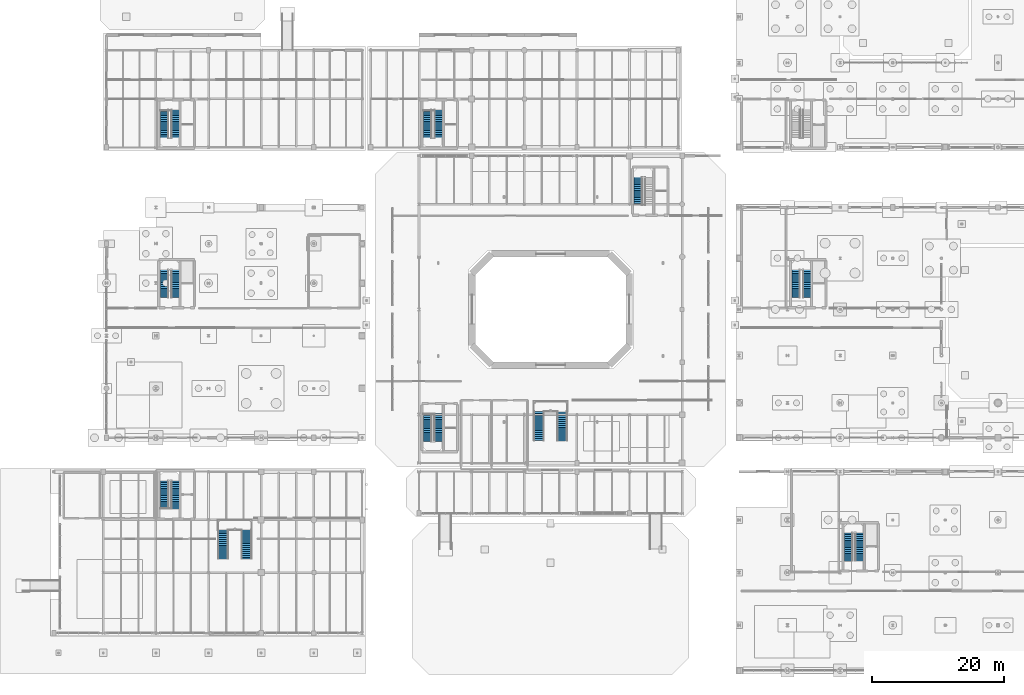
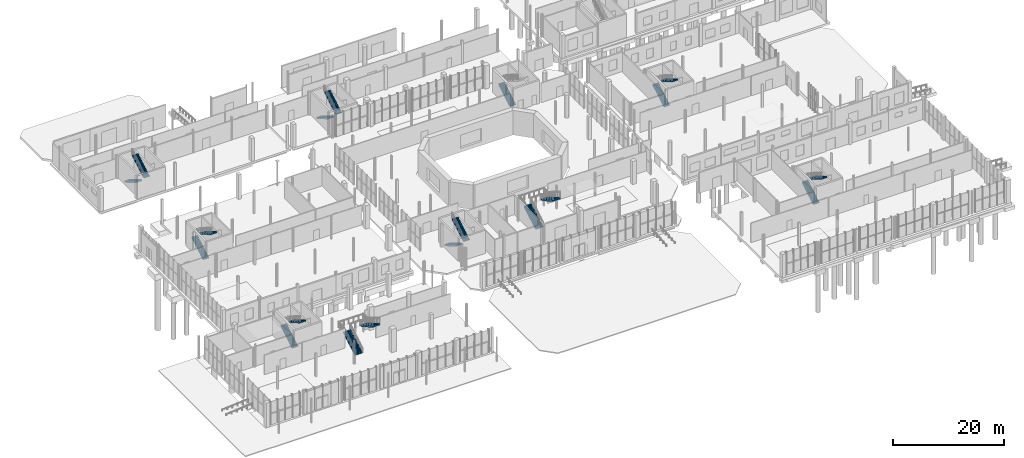
# One storey, part 75 of 87: 19 stair flights, 10 elements without a shape of their own.
"""IFC4 building model written with IfcOpenShell, lengths in metres."""

from ifc_helpers import new_model, si_unit, direction, frame, origin, place, context, subcontext, project, spatial, polyline, outline, extrude, material, type_object, element, aggregate, save


model = new_model("IFC4")

# Units and contexts
model_context = context("Model", 3, precision=1e-05, world=origin(), true_north=direction((0.0, 1.0)))
body_context = subcontext(model_context, "Body", "Model", "MODEL_VIEW")
ifc_project = project(units=[si_unit("LENGTHUNIT", "METRE"), si_unit("AREAUNIT", "SQUARE_METRE"), si_unit("VOLUMEUNIT", "CUBIC_METRE"), si_unit("PLANEANGLEUNIT", "RADIAN"), si_unit("MASSUNIT", "GRAM", prefix="KILO")], contexts=[model_context])

# Site, building, storey
site_placement = place(None, origin())
site = spatial("IfcSite", under=ifc_project, at=site_placement, CompositionType="ELEMENT")
building_placement = place(site_placement, origin())
building = spatial("IfcBuilding", under=site, at=building_placement, Name="Brisemont Oceanarium", CompositionType="ELEMENT")
storey_placement = place(building_placement, origin())
storey = spatial("IfcBuildingStorey", under=building, at=storey_placement, Name="L00", CompositionType="ELEMENT", Elevation=0.0)

# Stair, stair flights
ifc_material_1 = material(Name="Concrete C40/50", Category="concrete")
stair_type_1 = type_object("IfcStairType", Name="STR-CORE-120-54", PredefinedType="HALF_TURN_STAIR", material=ifc_material_1)
stair_1_placement = place(storey_placement, origin())
stair_1 = element("IfcStair", 1, at=stair_1_placement, inside=storey, type_object=stair_type_1, Name="Exit stair ST-05 L00 to L01", PredefinedType="HALF_TURN_STAIR")
ifc_material_2 = material(Name="Concrete C40/50", Category="concrete")
stair_flight_type_1 = type_object("IfcStairFlightType", Name="FLT-CORE-120-54", PredefinedType="STRAIGHT", material=ifc_material_2)
stair_flight_1_placement = place(storey_placement, frame((25.31005859375, 57.800048828125, 0.0), z_axis=(0.0, 0.0, 1.0), x_axis=(0.0, 1.0, 0.0)))
stair_flight_1 = element("IfcStairFlight", 2, at=stair_flight_1_placement, type_object=stair_flight_type_1, Name="ST-05 L00 lower flight", NumberOfRisers=16, NumberOfTreads=15, PredefinedType="STRAIGHT", RiserHeight=0.16875, TreadLength=0.283333, context=body_context, shape_type="SweptSolid", body=[
    extrude(outline(polyline([(0.0, 0.0), (0.0, 0.168701171875), (0.283447265625, 0.168701171875), (0.283447265625, 0.33740234375), (0.566650390625, 0.33740234375), (0.566650390625, 0.50634765625), (0.85009765625, 0.50634765625), (0.85009765625, 0.675048828125), (1.13330078125, 0.675048828125), (1.13330078125, 0.84375), (1.416748046875, 0.84375), (1.416748046875, 1.012451171875), (1.699951171875, 1.012451171875), (1.699951171875, 1.18115234375), (1.9833984375, 1.18115234375), (1.9833984375, 1.35009765625), (2.2666015625, 1.35009765625), (2.2666015625, 1.518798828125), (2.550048828125, 1.518798828125), (2.550048828125, 1.6875), (2.833251953125, 1.6875), (2.833251953125, 1.856201171875), (3.11669921875, 1.856201171875), (3.11669921875, 2.02490234375), (3.39990234375, 2.02490234375), (3.39990234375, 2.19384765625), (3.683349609375, 2.19384765625), (3.683349609375, 2.362548828125), (3.966552734375, 2.362548828125), (3.966552734375, 2.53125), (4.25, 2.53125), (4.25, 2.699951171875), (4.25, 2.275146484375), (0.429931640625, 0.0), (0.0, 0.0)])), frame((0.0, 0.60009765625, 0.0), z_axis=(0.0, -1.0, 0.0), x_axis=(1.0, 0.0, 0.0)), (0.0, 0.0, 1.0), 1.199951171875),
])
stair_flight_2_placement = place(storey_placement, frame((26.949951171875, 62.050048828125, 2.699951171875), z_axis=(0.0, 0.0, 1.0), x_axis=(0.0, -1.0, 0.0)))
stair_flight_2 = element("IfcStairFlight", 3, at=stair_flight_2_placement, type_object=stair_flight_type_1, Name="ST-05 L00 upper flight", NumberOfRisers=16, NumberOfTreads=15, PredefinedType="STRAIGHT", RiserHeight=0.16875, TreadLength=0.283333, context=body_context, shape_type="SweptSolid", body=[
    extrude(outline(polyline([(0.0, 0.0), (0.0, 0.168701171875), (0.283447265625, 0.168701171875), (0.283447265625, 0.33740234375), (0.566650390625, 0.33740234375), (0.566650390625, 0.50634765625), (0.85009765625, 0.50634765625), (0.85009765625, 0.675048828125), (1.13330078125, 0.675048828125), (1.13330078125, 0.84375), (1.416748046875, 0.84375), (1.416748046875, 1.012451171875), (1.699951171875, 1.012451171875), (1.699951171875, 1.18115234375), (1.9833984375, 1.18115234375), (1.9833984375, 1.35009765625), (2.2666015625, 1.35009765625), (2.2666015625, 1.518798828125), (2.550048828125, 1.518798828125), (2.550048828125, 1.6875), (2.833251953125, 1.6875), (2.833251953125, 1.856201171875), (3.11669921875, 1.856201171875), (3.11669921875, 2.02490234375), (3.39990234375, 2.02490234375), (3.39990234375, 2.19384765625), (3.683349609375, 2.19384765625), (3.683349609375, 2.362548828125), (3.966552734375, 2.362548828125), (3.966552734375, 2.53125), (4.25, 2.53125), (4.25, 2.699951171875), (4.25, 2.275146484375), (0.429931640625, 0.0), (0.0, 0.0)])), frame((0.0, 0.60009765625, 0.0), z_axis=(0.0, -1.0, 0.0), x_axis=(1.0, 0.0, 0.0)), (0.0, 0.0, 1.0), 1.199951171875),
])
aggregate(stair_1, [stair_flight_1, stair_flight_2])

stair_2_placement = place(storey_placement, origin())
stair_2 = element("IfcStair", 4, at=stair_2_placement, inside=storey, type_object=stair_type_1, Name="Exit stair ST-06 L00 to L01", PredefinedType="HALF_TURN_STAIR")
stair_flight_3_placement = place(storey_placement, frame((121.31005859375, 57.800048828125, 0.0), z_axis=(0.0, 0.0, 1.0), x_axis=(0.0, 1.0, 0.0)))
stair_flight_3 = element("IfcStairFlight", 5, at=stair_flight_3_placement, type_object=stair_flight_type_1, Name="ST-06 L00 lower flight", NumberOfRisers=16, NumberOfTreads=15, PredefinedType="STRAIGHT", RiserHeight=0.16875, TreadLength=0.283333, context=body_context, shape_type="SweptSolid", body=[
    extrude(outline(polyline([(0.0, 0.0), (0.0, 0.168701171875), (0.283447265625, 0.168701171875), (0.283447265625, 0.33740234375), (0.566650390625, 0.33740234375), (0.566650390625, 0.50634765625), (0.85009765625, 0.50634765625), (0.85009765625, 0.675048828125), (1.13330078125, 0.675048828125), (1.13330078125, 0.84375), (1.416748046875, 0.84375), (1.416748046875, 1.012451171875), (1.699951171875, 1.012451171875), (1.699951171875, 1.18115234375), (1.9833984375, 1.18115234375), (1.9833984375, 1.35009765625), (2.2666015625, 1.35009765625), (2.2666015625, 1.518798828125), (2.550048828125, 1.518798828125), (2.550048828125, 1.6875), (2.833251953125, 1.6875), (2.833251953125, 1.856201171875), (3.11669921875, 1.856201171875), (3.11669921875, 2.02490234375), (3.39990234375, 2.02490234375), (3.39990234375, 2.19384765625), (3.683349609375, 2.19384765625), (3.683349609375, 2.362548828125), (3.966552734375, 2.362548828125), (3.966552734375, 2.53125), (4.25, 2.53125), (4.25, 2.699951171875), (4.25, 2.275146484375), (0.429931640625, 0.0), (0.0, 0.0)])), frame((0.0, 0.60009765625, 0.0), z_axis=(0.0, -1.0, 0.0), x_axis=(1.0, 0.0, 0.0)), (0.0, 0.0, 1.0), 1.199951171875),
])
stair_flight_4_placement = place(storey_placement, frame((122.949951171875, 62.050048828125, 2.699951171875), z_axis=(0.0, 0.0, 1.0), x_axis=(0.0, -1.0, 0.0)))
stair_flight_4 = element("IfcStairFlight", 6, at=stair_flight_4_placement, type_object=stair_flight_type_1, Name="ST-06 L00 upper flight", NumberOfRisers=16, NumberOfTreads=15, PredefinedType="STRAIGHT", RiserHeight=0.16875, TreadLength=0.283333, context=body_context, shape_type="SweptSolid", body=[
    extrude(outline(polyline([(0.0, 0.0), (0.0, 0.168701171875), (0.283447265625, 0.168701171875), (0.283447265625, 0.33740234375), (0.566650390625, 0.33740234375), (0.566650390625, 0.50634765625), (0.85009765625, 0.50634765625), (0.85009765625, 0.675048828125), (1.13330078125, 0.675048828125), (1.13330078125, 0.84375), (1.416748046875, 0.84375), (1.416748046875, 1.012451171875), (1.699951171875, 1.012451171875), (1.699951171875, 1.18115234375), (1.9833984375, 1.18115234375), (1.9833984375, 1.35009765625), (2.2666015625, 1.35009765625), (2.2666015625, 1.518798828125), (2.550048828125, 1.518798828125), (2.550048828125, 1.6875), (2.833251953125, 1.6875), (2.833251953125, 1.856201171875), (3.11669921875, 1.856201171875), (3.11669921875, 2.02490234375), (3.39990234375, 2.02490234375), (3.39990234375, 2.19384765625), (3.683349609375, 2.19384765625), (3.683349609375, 2.362548828125), (3.966552734375, 2.362548828125), (3.966552734375, 2.53125), (4.25, 2.53125), (4.25, 2.699951171875), (4.25, 2.275146484375), (0.429931640625, 0.0), (0.0, 0.0)])), frame((0.0, 0.60009765625, 0.0), z_axis=(0.0, -1.0, 0.0), x_axis=(1.0, 0.0, 0.0)), (0.0, 0.0, 1.0), 1.199951171875),
])
aggregate(stair_2, [stair_flight_3, stair_flight_4])

stair_3_placement = place(storey_placement, origin())
stair_3 = element("IfcStair", 7, at=stair_3_placement, inside=storey, type_object=stair_type_1, Name="Exit stair ST-08 L00 to L01", PredefinedType="HALF_TURN_STAIR")
stair_flight_5_placement = place(storey_placement, frame((65.31005859375, 86.300048828125, 0.0), z_axis=(0.0, 0.0, 1.0), x_axis=(0.0, -1.0, 0.0)))
stair_flight_5 = element("IfcStairFlight", 8, at=stair_flight_5_placement, type_object=stair_flight_type_1, Name="ST-08 L00 lower flight", NumberOfRisers=16, NumberOfTreads=15, PredefinedType="STRAIGHT", RiserHeight=0.16875, TreadLength=0.283333, context=body_context, shape_type="SweptSolid", body=[
    extrude(outline(polyline([(0.0, 0.0), (0.0, 0.168701171875), (0.283447265625, 0.168701171875), (0.283447265625, 0.33740234375), (0.566650390625, 0.33740234375), (0.566650390625, 0.50634765625), (0.85009765625, 0.50634765625), (0.85009765625, 0.675048828125), (1.13330078125, 0.675048828125), (1.13330078125, 0.84375), (1.416748046875, 0.84375), (1.416748046875, 1.012451171875), (1.699951171875, 1.012451171875), (1.699951171875, 1.18115234375), (1.9833984375, 1.18115234375), (1.9833984375, 1.35009765625), (2.2666015625, 1.35009765625), (2.2666015625, 1.518798828125), (2.550048828125, 1.518798828125), (2.550048828125, 1.6875), (2.833251953125, 1.6875), (2.833251953125, 1.856201171875), (3.11669921875, 1.856201171875), (3.11669921875, 2.02490234375), (3.39990234375, 2.02490234375), (3.39990234375, 2.19384765625), (3.683349609375, 2.19384765625), (3.683349609375, 2.362548828125), (3.966552734375, 2.362548828125), (3.966552734375, 2.53125), (4.25, 2.53125), (4.25, 2.699951171875), (4.25, 2.275146484375), (0.429931640625, 0.0), (0.0, 0.0)])), frame((0.0, 0.60009765625, 0.0), z_axis=(0.0, -1.0, 0.0), x_axis=(1.0, 0.0, 0.0)), (0.0, 0.0, 1.0), 1.199951171875),
])
stair_flight_6_placement = place(storey_placement, frame((66.949951171875, 82.050048828125, 2.699951171875), z_axis=(0.0, 0.0, 1.0), x_axis=(0.0, 1.0, 0.0)))
stair_flight_6 = element("IfcStairFlight", 9, at=stair_flight_6_placement, type_object=stair_flight_type_1, Name="ST-08 L00 upper flight", NumberOfRisers=16, NumberOfTreads=15, PredefinedType="STRAIGHT", RiserHeight=0.16875, TreadLength=0.283333, context=body_context, shape_type="SweptSolid", body=[
    extrude(outline(polyline([(0.0, 0.0), (0.0, 0.168701171875), (0.283447265625, 0.168701171875), (0.283447265625, 0.33740234375), (0.566650390625, 0.33740234375), (0.566650390625, 0.50634765625), (0.85009765625, 0.50634765625), (0.85009765625, 0.675048828125), (1.13330078125, 0.675048828125), (1.13330078125, 0.84375), (1.416748046875, 0.84375), (1.416748046875, 1.012451171875), (1.699951171875, 1.012451171875), (1.699951171875, 1.18115234375), (1.9833984375, 1.18115234375), (1.9833984375, 1.35009765625), (2.2666015625, 1.35009765625), (2.2666015625, 1.518798828125), (2.550048828125, 1.518798828125), (2.550048828125, 1.6875), (2.833251953125, 1.6875), (2.833251953125, 1.856201171875), (3.11669921875, 1.856201171875), (3.11669921875, 2.02490234375), (3.39990234375, 2.02490234375), (3.39990234375, 2.19384765625), (3.683349609375, 2.19384765625), (3.683349609375, 2.362548828125), (3.966552734375, 2.362548828125), (3.966552734375, 2.53125), (4.25, 2.53125), (4.25, 2.699951171875), (4.25, 2.275146484375), (0.429931640625, 0.0), (0.0, 0.0)])), frame((0.0, 0.60009765625, 0.0), z_axis=(0.0, -1.0, 0.0), x_axis=(1.0, 0.0, 0.0)), (0.0, 0.0, 1.0), 1.199951171875),
])
aggregate(stair_3, [stair_flight_5, stair_flight_6])

stair_4_placement = place(storey_placement, origin())
stair_4 = element("IfcStair", 10, at=stair_4_placement, inside=storey, type_object=stair_type_1, Name="Exit stair ST-09 L00 to L01", PredefinedType="HALF_TURN_STAIR")
stair_flight_7_placement = place(storey_placement, frame((25.31005859375, 86.300048828125, 0.0), z_axis=(0.0, 0.0, 1.0), x_axis=(0.0, -1.0, 0.0)))
stair_flight_7 = element("IfcStairFlight", 11, at=stair_flight_7_placement, type_object=stair_flight_type_1, Name="ST-09 L00 lower flight", NumberOfRisers=16, NumberOfTreads=15, PredefinedType="STRAIGHT", RiserHeight=0.16875, TreadLength=0.283333, context=body_context, shape_type="SweptSolid", body=[
    extrude(outline(polyline([(0.0, 0.0), (0.0, 0.168701171875), (0.283447265625, 0.168701171875), (0.283447265625, 0.33740234375), (0.566650390625, 0.33740234375), (0.566650390625, 0.50634765625), (0.85009765625, 0.50634765625), (0.85009765625, 0.675048828125), (1.13330078125, 0.675048828125), (1.13330078125, 0.84375), (1.416748046875, 0.84375), (1.416748046875, 1.012451171875), (1.699951171875, 1.012451171875), (1.699951171875, 1.18115234375), (1.9833984375, 1.18115234375), (1.9833984375, 1.35009765625), (2.2666015625, 1.35009765625), (2.2666015625, 1.518798828125), (2.550048828125, 1.518798828125), (2.550048828125, 1.6875), (2.833251953125, 1.6875), (2.833251953125, 1.856201171875), (3.11669921875, 1.856201171875), (3.11669921875, 2.02490234375), (3.39990234375, 2.02490234375), (3.39990234375, 2.19384765625), (3.683349609375, 2.19384765625), (3.683349609375, 2.362548828125), (3.966552734375, 2.362548828125), (3.966552734375, 2.53125), (4.25, 2.53125), (4.25, 2.699951171875), (4.25, 2.275146484375), (0.429931640625, 0.0), (0.0, 0.0)])), frame((0.0, 0.60009765625, 0.0), z_axis=(0.0, -1.0, 0.0), x_axis=(1.0, 0.0, 0.0)), (0.0, 0.0, 1.0), 1.199951171875),
])
stair_flight_8_placement = place(storey_placement, frame((26.949951171875, 82.050048828125, 2.699951171875), z_axis=(0.0, 0.0, 1.0), x_axis=(0.0, 1.0, 0.0)))
stair_flight_8 = element("IfcStairFlight", 12, at=stair_flight_8_placement, type_object=stair_flight_type_1, Name="ST-09 L00 upper flight", NumberOfRisers=16, NumberOfTreads=15, PredefinedType="STRAIGHT", RiserHeight=0.16875, TreadLength=0.283333, context=body_context, shape_type="SweptSolid", body=[
    extrude(outline(polyline([(0.0, 0.0), (0.0, 0.168701171875), (0.283447265625, 0.168701171875), (0.283447265625, 0.33740234375), (0.566650390625, 0.33740234375), (0.566650390625, 0.50634765625), (0.85009765625, 0.50634765625), (0.85009765625, 0.675048828125), (1.13330078125, 0.675048828125), (1.13330078125, 0.84375), (1.416748046875, 0.84375), (1.416748046875, 1.012451171875), (1.699951171875, 1.012451171875), (1.699951171875, 1.18115234375), (1.9833984375, 1.18115234375), (1.9833984375, 1.35009765625), (2.2666015625, 1.35009765625), (2.2666015625, 1.518798828125), (2.550048828125, 1.518798828125), (2.550048828125, 1.6875), (2.833251953125, 1.6875), (2.833251953125, 1.856201171875), (3.11669921875, 1.856201171875), (3.11669921875, 2.02490234375), (3.39990234375, 2.02490234375), (3.39990234375, 2.19384765625), (3.683349609375, 2.19384765625), (3.683349609375, 2.362548828125), (3.966552734375, 2.362548828125), (3.966552734375, 2.53125), (4.25, 2.53125), (4.25, 2.699951171875), (4.25, 2.275146484375), (0.429931640625, 0.0), (0.0, 0.0)])), frame((0.0, 0.60009765625, 0.0), z_axis=(0.0, -1.0, 0.0), x_axis=(1.0, 0.0, 0.0)), (0.0, 0.0, 1.0), 1.199951171875),
])
aggregate(stair_4, [stair_flight_7, stair_flight_8])

ifc_material_3 = material(Name="Concrete C40/50", Category="concrete")
stair_type_2 = type_object("IfcStairType", Name="STR-CORE-124-54", PredefinedType="HALF_TURN_STAIR", material=ifc_material_3)
stair_5_placement = place(storey_placement, origin())
stair_5 = element("IfcStair", 13, at=stair_5_placement, inside=storey, type_object=stair_type_2, Name="Exit stair ST-01 L00 to L01", PredefinedType="HALF_TURN_STAIR")
ifc_material_4 = material(Name="Concrete C40/50", Category="concrete")
stair_flight_type_2 = type_object("IfcStairFlightType", Name="FLT-CORE-124-54", PredefinedType="STRAIGHT", material=ifc_material_4)
stair_flight_9_placement = place(storey_placement, frame((65.330078125, 40.14990234375, 0.0), z_axis=(0.0, 0.0, 1.0), x_axis=(0.0, -1.0, 0.0)))
stair_flight_9 = element("IfcStairFlight", 14, at=stair_flight_9_placement, type_object=stair_flight_type_2, Name="ST-01 L00 lower flight", NumberOfRisers=16, NumberOfTreads=15, PredefinedType="STRAIGHT", RiserHeight=0.16875, TreadLength=0.283333, context=body_context, shape_type="SweptSolid", body=[
    extrude(outline(polyline([(0.0, 0.0), (0.0, 0.168701171875), (0.283447265625, 0.168701171875), (0.283447265625, 0.33740234375), (0.566650390625, 0.33740234375), (0.566650390625, 0.50634765625), (0.85009765625, 0.50634765625), (0.85009765625, 0.675048828125), (1.13330078125, 0.675048828125), (1.13330078125, 0.84375), (1.416748046875, 0.84375), (1.416748046875, 1.012451171875), (1.699951171875, 1.012451171875), (1.699951171875, 1.18115234375), (1.9833984375, 1.18115234375), (1.9833984375, 1.35009765625), (2.2666015625, 1.35009765625), (2.2666015625, 1.518798828125), (2.550048828125, 1.518798828125), (2.550048828125, 1.6875), (2.833251953125, 1.6875), (2.833251953125, 1.856201171875), (3.11669921875, 1.856201171875), (3.11669921875, 2.02490234375), (3.39990234375, 2.02490234375), (3.39990234375, 2.19384765625), (3.683349609375, 2.19384765625), (3.683349609375, 2.362548828125), (3.966552734375, 2.362548828125), (3.966552734375, 2.53125), (4.25, 2.53125), (4.25, 2.699951171875), (4.25, 2.275146484375), (0.429931640625, 0.0), (0.0, 0.0)])), frame((0.0, 0.6201171875, 0.0), z_axis=(0.0, -1.0, 0.0), x_axis=(1.0, 0.0, 0.0)), (0.0, 0.0, 1.0), 1.239990234375),
])
stair_flight_10_placement = place(storey_placement, frame((66.929931640625, 35.89990234375, 2.699951171875), z_axis=(0.0, 0.0, 1.0), x_axis=(0.0, 1.0, 0.0)))
stair_flight_10 = element("IfcStairFlight", 15, at=stair_flight_10_placement, type_object=stair_flight_type_2, Name="ST-01 L00 upper flight", NumberOfRisers=16, NumberOfTreads=15, PredefinedType="STRAIGHT", RiserHeight=0.16875, TreadLength=0.283333, context=body_context, shape_type="SweptSolid", body=[
    extrude(outline(polyline([(0.0, 0.0), (0.0, 0.168701171875), (0.283447265625, 0.168701171875), (0.283447265625, 0.33740234375), (0.566650390625, 0.33740234375), (0.566650390625, 0.50634765625), (0.85009765625, 0.50634765625), (0.85009765625, 0.675048828125), (1.13330078125, 0.675048828125), (1.13330078125, 0.84375), (1.416748046875, 0.84375), (1.416748046875, 1.012451171875), (1.699951171875, 1.012451171875), (1.699951171875, 1.18115234375), (1.9833984375, 1.18115234375), (1.9833984375, 1.35009765625), (2.2666015625, 1.35009765625), (2.2666015625, 1.518798828125), (2.550048828125, 1.518798828125), (2.550048828125, 1.6875), (2.833251953125, 1.6875), (2.833251953125, 1.856201171875), (3.11669921875, 1.856201171875), (3.11669921875, 2.02490234375), (3.39990234375, 2.02490234375), (3.39990234375, 2.19384765625), (3.683349609375, 2.19384765625), (3.683349609375, 2.362548828125), (3.966552734375, 2.362548828125), (3.966552734375, 2.53125), (4.25, 2.53125), (4.25, 2.699951171875), (4.25, 2.275146484375), (0.429931640625, 0.0), (0.0, 0.0)])), frame((0.0, 0.6201171875, 0.0), z_axis=(0.0, -1.0, 0.0), x_axis=(1.0, 0.0, 0.0)), (0.0, 0.0, 1.0), 1.239990234375),
])
aggregate(stair_5, [stair_flight_9, stair_flight_10])

# Stair, stair flight
stair_6_placement = place(storey_placement, origin())
stair_6 = element("IfcStair", 16, at=stair_6_placement, inside=storey, type_object=stair_type_2, Name="Exit stair ST-02 L00 to L01", PredefinedType="HALF_TURN_STAIR")
stair_flight_11_placement = place(storey_placement, frame((97.330078125, 71.85009765625, 0.0), z_axis=(0.0, 0.0, 1.0), x_axis=(0.0, 1.0, 0.0)))
stair_flight_11 = element("IfcStairFlight", 17, at=stair_flight_11_placement, type_object=stair_flight_type_2, Name="ST-02 L00 lower flight", NumberOfRisers=16, NumberOfTreads=15, PredefinedType="STRAIGHT", RiserHeight=0.16875, TreadLength=0.283333, context=body_context, shape_type="SweptSolid", body=[
    extrude(outline(polyline([(0.0, 0.0), (0.0, 0.168701171875), (0.283447265625, 0.168701171875), (0.283447265625, 0.33740234375), (0.566650390625, 0.33740234375), (0.566650390625, 0.50634765625), (0.85009765625, 0.50634765625), (0.85009765625, 0.675048828125), (1.13330078125, 0.675048828125), (1.13330078125, 0.84375), (1.416748046875, 0.84375), (1.416748046875, 1.012451171875), (1.699951171875, 1.012451171875), (1.699951171875, 1.18115234375), (1.9833984375, 1.18115234375), (1.9833984375, 1.35009765625), (2.2666015625, 1.35009765625), (2.2666015625, 1.518798828125), (2.550048828125, 1.518798828125), (2.550048828125, 1.6875), (2.833251953125, 1.6875), (2.833251953125, 1.856201171875), (3.11669921875, 1.856201171875), (3.11669921875, 2.02490234375), (3.39990234375, 2.02490234375), (3.39990234375, 2.19384765625), (3.683349609375, 2.19384765625), (3.683349609375, 2.362548828125), (3.966552734375, 2.362548828125), (3.966552734375, 2.53125), (4.25, 2.53125), (4.25, 2.699951171875), (4.25, 2.275146484375), (0.429931640625, 0.0), (0.0, 0.0)])), frame((0.0, 0.6201171875, 0.0), z_axis=(0.0, -1.0, 0.0), x_axis=(1.0, 0.0, 0.0)), (0.0, 0.0, 1.0), 1.239990234375),
])
aggregate(stair_6, [stair_flight_11])

# Stair, stair flights
stair_7_placement = place(storey_placement, origin())
stair_7 = element("IfcStair", 18, at=stair_7_placement, inside=storey, type_object=stair_type_2, Name="Exit stair ST-03 L00 to L01", PredefinedType="HALF_TURN_STAIR")
stair_flight_12_placement = place(storey_placement, frame((25.330078125, 25.699951171875, 0.0), z_axis=(0.0, 0.0, 1.0), x_axis=(0.0, 1.0, 0.0)))
stair_flight_12 = element("IfcStairFlight", 19, at=stair_flight_12_placement, type_object=stair_flight_type_2, Name="ST-03 L00 lower flight", NumberOfRisers=16, NumberOfTreads=15, PredefinedType="STRAIGHT", RiserHeight=0.16875, TreadLength=0.283333, context=body_context, shape_type="SweptSolid", body=[
    extrude(outline(polyline([(0.0, 0.0), (0.0, 0.168701171875), (0.283447265625, 0.168701171875), (0.283447265625, 0.33740234375), (0.566650390625, 0.33740234375), (0.566650390625, 0.50634765625), (0.85009765625, 0.50634765625), (0.85009765625, 0.675048828125), (1.13330078125, 0.675048828125), (1.13330078125, 0.84375), (1.416748046875, 0.84375), (1.416748046875, 1.012451171875), (1.699951171875, 1.012451171875), (1.699951171875, 1.18115234375), (1.9833984375, 1.18115234375), (1.9833984375, 1.35009765625), (2.2666015625, 1.35009765625), (2.2666015625, 1.518798828125), (2.550048828125, 1.518798828125), (2.550048828125, 1.6875), (2.833251953125, 1.6875), (2.833251953125, 1.856201171875), (3.11669921875, 1.856201171875), (3.11669921875, 2.02490234375), (3.39990234375, 2.02490234375), (3.39990234375, 2.19384765625), (3.683349609375, 2.19384765625), (3.683349609375, 2.362548828125), (3.966552734375, 2.362548828125), (3.966552734375, 2.53125), (4.25, 2.53125), (4.25, 2.699951171875), (4.25, 2.275146484375), (0.429931640625, 0.0), (0.0, 0.0)])), frame((0.0, 0.6201171875, 0.0), z_axis=(0.0, -1.0, 0.0), x_axis=(1.0, 0.0, 0.0)), (0.0, 0.0, 1.0), 1.239990234375),
])
stair_flight_13_placement = place(storey_placement, frame((26.929931640625, 29.949951171875, 2.699951171875), z_axis=(0.0, 0.0, 1.0), x_axis=(0.0, -1.0, 0.0)))
stair_flight_13 = element("IfcStairFlight", 20, at=stair_flight_13_placement, type_object=stair_flight_type_2, Name="ST-03 L00 upper flight", NumberOfRisers=16, NumberOfTreads=15, PredefinedType="STRAIGHT", RiserHeight=0.16875, TreadLength=0.283333, context=body_context, shape_type="SweptSolid", body=[
    extrude(outline(polyline([(0.0, 0.0), (0.0, 0.168701171875), (0.283447265625, 0.168701171875), (0.283447265625, 0.33740234375), (0.566650390625, 0.33740234375), (0.566650390625, 0.50634765625), (0.85009765625, 0.50634765625), (0.85009765625, 0.675048828125), (1.13330078125, 0.675048828125), (1.13330078125, 0.84375), (1.416748046875, 0.84375), (1.416748046875, 1.012451171875), (1.699951171875, 1.012451171875), (1.699951171875, 1.18115234375), (1.9833984375, 1.18115234375), (1.9833984375, 1.35009765625), (2.2666015625, 1.35009765625), (2.2666015625, 1.518798828125), (2.550048828125, 1.518798828125), (2.550048828125, 1.6875), (2.833251953125, 1.6875), (2.833251953125, 1.856201171875), (3.11669921875, 1.856201171875), (3.11669921875, 2.02490234375), (3.39990234375, 2.02490234375), (3.39990234375, 2.19384765625), (3.683349609375, 2.19384765625), (3.683349609375, 2.362548828125), (3.966552734375, 2.362548828125), (3.966552734375, 2.53125), (4.25, 2.53125), (4.25, 2.699951171875), (4.25, 2.275146484375), (0.429931640625, 0.0), (0.0, 0.0)])), frame((0.0, 0.6201171875, 0.0), z_axis=(0.0, -1.0, 0.0), x_axis=(1.0, 0.0, 0.0)), (0.0, 0.0, 1.0), 1.239990234375),
])
aggregate(stair_7, [stair_flight_12, stair_flight_13])

stair_8_placement = place(storey_placement, origin())
stair_8 = element("IfcStair", 21, at=stair_8_placement, inside=storey, type_object=stair_type_2, Name="Exit stair ST-04 L00 to L01", PredefinedType="HALF_TURN_STAIR")
stair_flight_14_placement = place(storey_placement, frame((129.330078125, 17.800048828125, 0.0), z_axis=(0.0, 0.0, 1.0), x_axis=(0.0, 1.0, 0.0)))
stair_flight_14 = element("IfcStairFlight", 22, at=stair_flight_14_placement, type_object=stair_flight_type_2, Name="ST-04 L00 lower flight", NumberOfRisers=16, NumberOfTreads=15, PredefinedType="STRAIGHT", RiserHeight=0.16875, TreadLength=0.283333, context=body_context, shape_type="SweptSolid", body=[
    extrude(outline(polyline([(0.0, 0.0), (0.0, 0.168701171875), (0.283447265625, 0.168701171875), (0.283447265625, 0.33740234375), (0.566650390625, 0.33740234375), (0.566650390625, 0.50634765625), (0.85009765625, 0.50634765625), (0.85009765625, 0.675048828125), (1.13330078125, 0.675048828125), (1.13330078125, 0.84375), (1.416748046875, 0.84375), (1.416748046875, 1.012451171875), (1.699951171875, 1.012451171875), (1.699951171875, 1.18115234375), (1.9833984375, 1.18115234375), (1.9833984375, 1.35009765625), (2.2666015625, 1.35009765625), (2.2666015625, 1.518798828125), (2.550048828125, 1.518798828125), (2.550048828125, 1.6875), (2.833251953125, 1.6875), (2.833251953125, 1.856201171875), (3.11669921875, 1.856201171875), (3.11669921875, 2.02490234375), (3.39990234375, 2.02490234375), (3.39990234375, 2.19384765625), (3.683349609375, 2.19384765625), (3.683349609375, 2.362548828125), (3.966552734375, 2.362548828125), (3.966552734375, 2.53125), (4.25, 2.53125), (4.25, 2.699951171875), (4.25, 2.275146484375), (0.429931640625, 0.0), (0.0, 0.0)])), frame((0.0, 0.6201171875, 0.0), z_axis=(0.0, -1.0, 0.0), x_axis=(1.0, 0.0, 0.0)), (0.0, 0.0, 1.0), 1.239990234375),
])
stair_flight_15_placement = place(storey_placement, frame((130.929931640625, 22.050048828125, 2.699951171875), z_axis=(0.0, 0.0, 1.0), x_axis=(0.0, -1.0, 0.0)))
stair_flight_15 = element("IfcStairFlight", 23, at=stair_flight_15_placement, type_object=stair_flight_type_2, Name="ST-04 L00 upper flight", NumberOfRisers=16, NumberOfTreads=15, PredefinedType="STRAIGHT", RiserHeight=0.16875, TreadLength=0.283333, context=body_context, shape_type="SweptSolid", body=[
    extrude(outline(polyline([(0.0, 0.0), (0.0, 0.168701171875), (0.283447265625, 0.168701171875), (0.283447265625, 0.33740234375), (0.566650390625, 0.33740234375), (0.566650390625, 0.50634765625), (0.85009765625, 0.50634765625), (0.85009765625, 0.675048828125), (1.13330078125, 0.675048828125), (1.13330078125, 0.84375), (1.416748046875, 0.84375), (1.416748046875, 1.012451171875), (1.699951171875, 1.012451171875), (1.699951171875, 1.18115234375), (1.9833984375, 1.18115234375), (1.9833984375, 1.35009765625), (2.2666015625, 1.35009765625), (2.2666015625, 1.518798828125), (2.550048828125, 1.518798828125), (2.550048828125, 1.6875), (2.833251953125, 1.6875), (2.833251953125, 1.856201171875), (3.11669921875, 1.856201171875), (3.11669921875, 2.02490234375), (3.39990234375, 2.02490234375), (3.39990234375, 2.19384765625), (3.683349609375, 2.19384765625), (3.683349609375, 2.362548828125), (3.966552734375, 2.362548828125), (3.966552734375, 2.53125), (4.25, 2.53125), (4.25, 2.699951171875), (4.25, 2.275146484375), (0.429931640625, 0.0), (0.0, 0.0)])), frame((0.0, 0.6201171875, 0.0), z_axis=(0.0, -1.0, 0.0), x_axis=(1.0, 0.0, 0.0)), (0.0, 0.0, 1.0), 1.239990234375),
])
aggregate(stair_8, [stair_flight_14, stair_flight_15])

ifc_material_5 = material(Name="Concrete C40/50", Category="concrete")
stair_type_3 = type_object("IfcStairType", Name="STR-MON-155-54", PredefinedType="HALF_TURN_STAIR", material=ifc_material_5)
stair_9_placement = place(storey_placement, origin())
stair_9 = element("IfcStair", 24, at=stair_9_placement, inside=storey, type_object=stair_type_3, Name="Grand Beaux-Arts stair ST-10", PredefinedType="HALF_TURN_STAIR")
ifc_material_6 = material(Name="Concrete C40/50", Category="concrete")
stair_flight_type_3 = type_object("IfcStairFlightType", Name="FLT-MON-155-54", PredefinedType="STRAIGHT", material=ifc_material_6)
stair_flight_16_placement = place(storey_placement, frame((34.22509765625, 18.10009765625, 0.0), z_axis=(0.0, 0.0, 1.0), x_axis=(0.0, 1.0, 0.0)))
stair_flight_16 = element("IfcStairFlight", 25, at=stair_flight_16_placement, type_object=stair_flight_type_3, Name="ST-10 lower flight", NumberOfRisers=16, NumberOfTreads=15, PredefinedType="STRAIGHT", RiserHeight=0.16875, TreadLength=0.293333, context=body_context, shape_type="SweptSolid", body=[
    extrude(outline(polyline([(0.0, 0.0), (0.0, 0.168701171875), (0.293212890625, 0.168701171875), (0.293212890625, 0.33740234375), (0.586669921875, 0.33740234375), (0.586669921875, 0.50634765625), (0.8798828125, 0.50634765625), (0.8798828125, 0.675048828125), (1.17333984375, 0.675048828125), (1.17333984375, 0.84375), (1.466552734375, 0.84375), (1.466552734375, 1.012451171875), (1.760009765625, 1.012451171875), (1.760009765625, 1.18115234375), (2.05322265625, 1.18115234375), (2.05322265625, 1.35009765625), (2.3466796875, 1.35009765625), (2.3466796875, 1.518798828125), (2.639892578125, 1.518798828125), (2.639892578125, 1.6875), (2.933349609375, 1.6875), (2.933349609375, 1.856201171875), (3.2265625, 1.856201171875), (3.2265625, 2.02490234375), (3.52001953125, 2.02490234375), (3.52001953125, 2.19384765625), (3.813232421875, 2.19384765625), (3.813232421875, 2.362548828125), (4.106689453125, 2.362548828125), (4.106689453125, 2.53125), (4.39990234375, 2.53125), (4.39990234375, 2.699951171875), (4.39990234375, 2.25439453125), (0.481201171875, 0.0), (0.0, 0.0)])), frame((0.0, 0.77490234375, 0.0), z_axis=(0.0, -1.0, 0.0), x_axis=(1.0, 0.0, 0.0)), (0.0, 0.0, 1.0), 1.550048828125),
])
stair_flight_17_placement = place(storey_placement, frame((37.77490234375, 22.43994140625, 2.699951171875), z_axis=(0.0, 0.0, 1.0), x_axis=(0.0, -1.0, 0.0)))
stair_flight_17 = element("IfcStairFlight", 26, at=stair_flight_17_placement, type_object=stair_flight_type_3, Name="ST-10 upper flight", NumberOfRisers=16, NumberOfTreads=15, PredefinedType="STRAIGHT", RiserHeight=0.16875, TreadLength=0.293333, context=body_context, shape_type="SweptSolid", body=[
    extrude(outline(polyline([(0.0, 0.0), (0.0, 0.168701171875), (0.293212890625, 0.168701171875), (0.293212890625, 0.33740234375), (0.586669921875, 0.33740234375), (0.586669921875, 0.50634765625), (0.8798828125, 0.50634765625), (0.8798828125, 0.675048828125), (1.17333984375, 0.675048828125), (1.17333984375, 0.84375), (1.466552734375, 0.84375), (1.466552734375, 1.012451171875), (1.760009765625, 1.012451171875), (1.760009765625, 1.18115234375), (2.05322265625, 1.18115234375), (2.05322265625, 1.35009765625), (2.3466796875, 1.35009765625), (2.3466796875, 1.518798828125), (2.639892578125, 1.518798828125), (2.639892578125, 1.6875), (2.933349609375, 1.6875), (2.933349609375, 1.856201171875), (3.2265625, 1.856201171875), (3.2265625, 2.02490234375), (3.52001953125, 2.02490234375), (3.52001953125, 2.19384765625), (3.813232421875, 2.19384765625), (3.813232421875, 2.362548828125), (4.106689453125, 2.362548828125), (4.106689453125, 2.53125), (4.39990234375, 2.53125), (4.39990234375, 2.699951171875), (4.39990234375, 2.25439453125), (0.481201171875, 0.0), (0.0, 0.0)])), frame((0.0, 0.77490234375, 0.0), z_axis=(0.0, -1.0, 0.0), x_axis=(1.0, 0.0, 0.0)), (0.0, 0.0, 1.0), 1.550048828125),
])
aggregate(stair_9, [stair_flight_16, stair_flight_17])

stair_10_placement = place(storey_placement, origin())
stair_10 = element("IfcStair", 27, at=stair_10_placement, inside=storey, type_object=stair_type_3, Name="Grand Beaux-Arts stair ST-11", PredefinedType="HALF_TURN_STAIR")
stair_flight_18_placement = place(storey_placement, frame((82.22509765625, 36.10009765625, 0.0), z_axis=(0.0, 0.0, 1.0), x_axis=(0.0, 1.0, 0.0)))
stair_flight_18 = element("IfcStairFlight", 28, at=stair_flight_18_placement, type_object=stair_flight_type_3, Name="ST-11 lower flight", NumberOfRisers=16, NumberOfTreads=15, PredefinedType="STRAIGHT", RiserHeight=0.16875, TreadLength=0.293333, context=body_context, shape_type="SweptSolid", body=[
    extrude(outline(polyline([(0.0, 0.0), (0.0, 0.168701171875), (0.293212890625, 0.168701171875), (0.293212890625, 0.33740234375), (0.586669921875, 0.33740234375), (0.586669921875, 0.50634765625), (0.8798828125, 0.50634765625), (0.8798828125, 0.675048828125), (1.17333984375, 0.675048828125), (1.17333984375, 0.84375), (1.466552734375, 0.84375), (1.466552734375, 1.012451171875), (1.760009765625, 1.012451171875), (1.760009765625, 1.18115234375), (2.05322265625, 1.18115234375), (2.05322265625, 1.35009765625), (2.3466796875, 1.35009765625), (2.3466796875, 1.518798828125), (2.639892578125, 1.518798828125), (2.639892578125, 1.6875), (2.933349609375, 1.6875), (2.933349609375, 1.856201171875), (3.2265625, 1.856201171875), (3.2265625, 2.02490234375), (3.52001953125, 2.02490234375), (3.52001953125, 2.19384765625), (3.813232421875, 2.19384765625), (3.813232421875, 2.362548828125), (4.106689453125, 2.362548828125), (4.106689453125, 2.53125), (4.39990234375, 2.53125), (4.39990234375, 2.699951171875), (4.39990234375, 2.25439453125), (0.481201171875, 0.0), (0.0, 0.0)])), frame((0.0, 0.77490234375, 0.0), z_axis=(0.0, -1.0, 0.0), x_axis=(1.0, 0.0, 0.0)), (0.0, 0.0, 1.0), 1.550048828125),
])
stair_flight_19_placement = place(storey_placement, frame((85.77490234375, 40.43994140625, 2.699951171875), z_axis=(0.0, 0.0, 1.0), x_axis=(0.0, -1.0, 0.0)))
stair_flight_19 = element("IfcStairFlight", 29, at=stair_flight_19_placement, type_object=stair_flight_type_3, Name="ST-11 upper flight", NumberOfRisers=16, NumberOfTreads=15, PredefinedType="STRAIGHT", RiserHeight=0.16875, TreadLength=0.293333, context=body_context, shape_type="SweptSolid", body=[
    extrude(outline(polyline([(0.0, 0.0), (0.0, 0.168701171875), (0.293212890625, 0.168701171875), (0.293212890625, 0.33740234375), (0.586669921875, 0.33740234375), (0.586669921875, 0.50634765625), (0.8798828125, 0.50634765625), (0.8798828125, 0.675048828125), (1.17333984375, 0.675048828125), (1.17333984375, 0.84375), (1.466552734375, 0.84375), (1.466552734375, 1.012451171875), (1.760009765625, 1.012451171875), (1.760009765625, 1.18115234375), (2.05322265625, 1.18115234375), (2.05322265625, 1.35009765625), (2.3466796875, 1.35009765625), (2.3466796875, 1.518798828125), (2.639892578125, 1.518798828125), (2.639892578125, 1.6875), (2.933349609375, 1.6875), (2.933349609375, 1.856201171875), (3.2265625, 1.856201171875), (3.2265625, 2.02490234375), (3.52001953125, 2.02490234375), (3.52001953125, 2.19384765625), (3.813232421875, 2.19384765625), (3.813232421875, 2.362548828125), (4.106689453125, 2.362548828125), (4.106689453125, 2.53125), (4.39990234375, 2.53125), (4.39990234375, 2.699951171875), (4.39990234375, 2.25439453125), (0.481201171875, 0.0), (0.0, 0.0)])), frame((0.0, 0.77490234375, 0.0), z_axis=(0.0, -1.0, 0.0), x_axis=(1.0, 0.0, 0.0)), (0.0, 0.0, 1.0), 1.550048828125),
])
aggregate(stair_10, [stair_flight_18, stair_flight_19])

save(model, "model.ifc")
